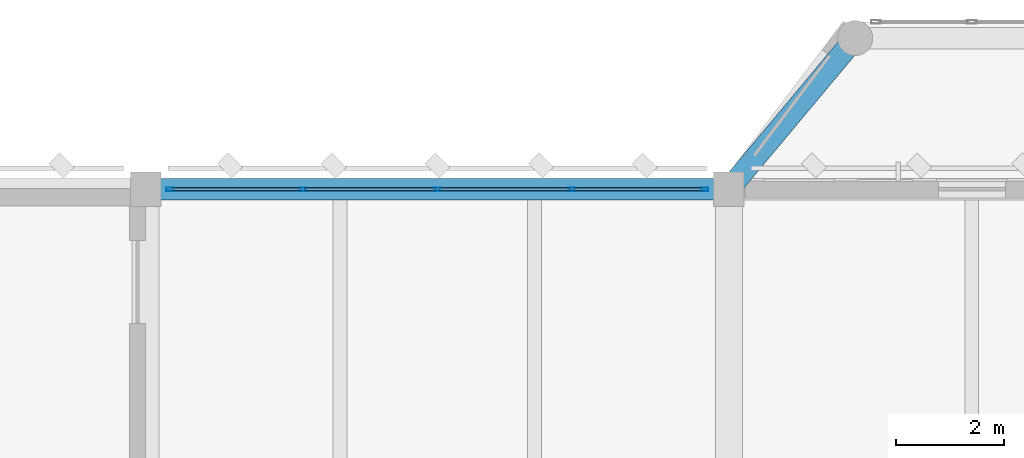
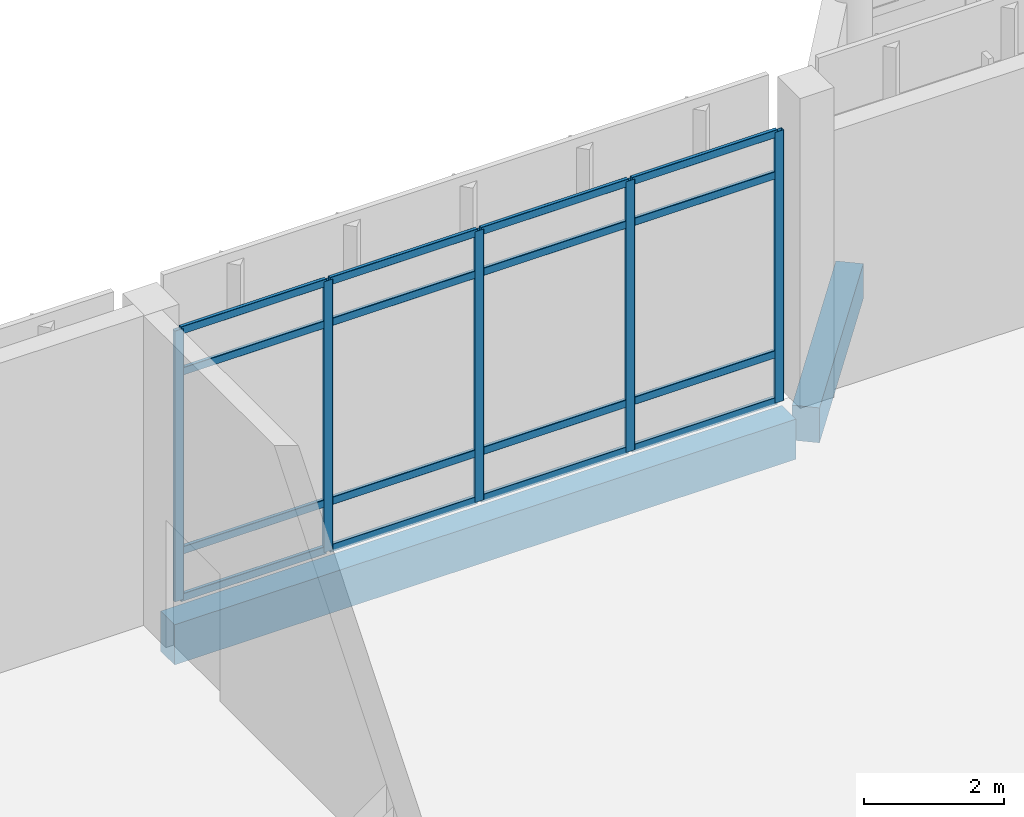
# One storey, part 85 of 180: 21 members, 2 beams, 1 element without a shape of its own.
"""IFC4 building model written with IfcOpenShell, lengths in metres."""

from ifc_helpers import new_model, si_unit, direction, frame, origin, origin_2d, place, context, subcontext, project, spatial, rectangle, hollow_rectangle, extrude, material, material_profile, profile_set, type_object, element, aggregate, save


model = new_model("IFC4")

# Units and contexts
model_context = context("Model", 3, precision=1e-05, world=origin(), true_north=direction((0.0, 1.0)))
body_context = subcontext(model_context, "Body", "Model", "MODEL_VIEW")
ifc_project = project(units=[si_unit("LENGTHUNIT", "METRE"), si_unit("AREAUNIT", "SQUARE_METRE"), si_unit("VOLUMEUNIT", "CUBIC_METRE"), si_unit("PLANEANGLEUNIT", "RADIAN"), si_unit("MASSUNIT", "GRAM", prefix="KILO")], contexts=[model_context])

# Site, building, storey
site_placement = place(None, origin())
site = spatial("IfcSite", under=ifc_project, at=site_placement, CompositionType="ELEMENT")
building_placement = place(site_placement, origin())
building = spatial("IfcBuilding", under=site, at=building_placement, Name="Lusvemor Sports Hall", CompositionType="ELEMENT")
storey_placement = place(building_placement, frame((0.0, 0.0, 5.39990234375)))
storey = spatial("IfcBuildingStorey", under=building, at=storey_placement, Name="L01", CompositionType="ELEMENT", Elevation=5.39990234375)

# Curtain wall, members
ifc_material_1 = material(Name="Thermally broken bronze-anodized aluminium", Category="aluminium")
curtain_wall_type = type_object("IfcCurtainWallType", Name="CW_WING_B", PredefinedType="NOTDEFINED", material=ifc_material_1)
curtain_wall_placement = place(storey_placement, origin())
curtain_wall = element("IfcCurtainWall", 1, at=curtain_wall_placement, inside=storey, type_object=curtain_wall_type, Name="Curtain Wall CW-L01-N-1-6", PredefinedType="NOTDEFINED")
ifc_material_2 = material(Name="Thermally broken bronze-anodized aluminium", Category="aluminium")
ifc_material_profile_1 = material_profile(ifc_material_2, hollow_rectangle(XDim=0.06494140625, YDim=0.14990234375, WallThickness=0.00390625, InnerFilletRadius=0.00390625, OuterFilletRadius=0.008056640625, at=origin_2d()), Name="CWMUL150x65x4")
ifc_profile_set_1 = profile_set([ifc_material_profile_1], Name="Thermally broken bronze-anodized aluminium")
member_type_1 = type_object("IfcMemberType", Name="CW_MUL_B", PredefinedType="MULLION", material=ifc_profile_set_1)
member_1_placement = place(storey_placement, frame((65.25244140625, 115.199951171875, 0.0), z_axis=(0.0, 0.0, 1.0), x_axis=(0.0, 1.0, 0.0)))
member_1 = element("IfcMember", 2, at=member_1_placement, type_object=member_type_1, Name="CW02 mullion 1", PredefinedType="MULLION", context=body_context, shape_type="SweptSolid", body=[
    extrude(hollow_rectangle(XDim=0.06494140625, YDim=0.14990234375, WallThickness=0.00390625, InnerFilletRadius=0.00390625, OuterFilletRadius=0.008056640625, at=origin_2d()), origin(), (0.0, 0.0, 1.0), 4.72021484375),
])
member_2_placement = place(storey_placement, frame((67.7099609375, 115.199951171875, 0.0), z_axis=(0.0, 0.0, 1.0), x_axis=(0.0, 1.0, 0.0)))
member_2 = element("IfcMember", 3, at=member_2_placement, type_object=member_type_1, Name="CW02 mullion 2", PredefinedType="MULLION", context=body_context, shape_type="SweptSolid", body=[
    extrude(hollow_rectangle(XDim=0.06494140625, YDim=0.14990234375, WallThickness=0.00390625, InnerFilletRadius=0.00390625, OuterFilletRadius=0.008056640625, at=origin_2d()), origin(), (0.0, 0.0, 1.0), 4.72021484375),
])
member_3_placement = place(storey_placement, frame((70.199951171875, 115.199951171875, 0.0), z_axis=(0.0, 0.0, 1.0), x_axis=(0.0, 1.0, 0.0)))
member_3 = element("IfcMember", 4, at=member_3_placement, type_object=member_type_1, Name="CW02 mullion 3", PredefinedType="MULLION", context=body_context, shape_type="SweptSolid", body=[
    extrude(hollow_rectangle(XDim=0.06494140625, YDim=0.14990234375, WallThickness=0.00390625, InnerFilletRadius=0.00390625, OuterFilletRadius=0.008056640625, at=origin_2d()), origin(), (0.0, 0.0, 1.0), 4.72021484375),
])
member_4_placement = place(storey_placement, frame((72.68994140625, 115.199951171875, 0.0), z_axis=(0.0, 0.0, 1.0), x_axis=(0.0, 1.0, 0.0)))
member_4 = element("IfcMember", 5, at=member_4_placement, type_object=member_type_1, Name="CW02 mullion 4", PredefinedType="MULLION", context=body_context, shape_type="SweptSolid", body=[
    extrude(hollow_rectangle(XDim=0.06494140625, YDim=0.14990234375, WallThickness=0.00390625, InnerFilletRadius=0.00390625, OuterFilletRadius=0.008056640625, at=origin_2d()), origin(), (0.0, 0.0, 1.0), 4.72021484375),
])
member_5_placement = place(storey_placement, frame((75.1474609375, 115.199951171875, 0.0), z_axis=(0.0, 0.0, 1.0), x_axis=(0.0, 1.0, 0.0)))
member_5 = element("IfcMember", 6, at=member_5_placement, type_object=member_type_1, Name="CW02 mullion 5", PredefinedType="MULLION", context=body_context, shape_type="SweptSolid", body=[
    extrude(hollow_rectangle(XDim=0.06494140625, YDim=0.14990234375, WallThickness=0.00390625, InnerFilletRadius=0.00390625, OuterFilletRadius=0.008056640625, at=origin_2d()), origin(), (0.0, 0.0, 1.0), 4.72021484375),
])
ifc_material_3 = material(Name="Thermally broken bronze-anodized aluminium", Category="aluminium")
ifc_material_profile_2 = material_profile(ifc_material_3, hollow_rectangle(XDim=0.06005859375, YDim=0.135009765625, WallThickness=0.00390625, InnerFilletRadius=0.00390625, OuterFilletRadius=0.008056640625, at=origin_2d()), Name="CWTRN135x60x4")
ifc_profile_set_2 = profile_set([ifc_material_profile_2], Name="Thermally broken bronze-anodized aluminium")
member_type_2 = type_object("IfcMemberType", Name="CW_TRN_B", PredefinedType="USERDEFINED", material=ifc_profile_set_2)
member_6_placement = place(storey_placement, frame((65.284912109375, 115.199951171875, 0.030029296875), z_axis=(1.0, 0.0, 0.0), x_axis=(0.0, 1.0, 0.0)))
member_6 = element("IfcMember", 7, at=member_6_placement, type_object=member_type_2, Name="CW02 transom 1.1", ObjectType="TRANSOM", PredefinedType="USERDEFINED", context=body_context, shape_type="SweptSolid", body=[
    extrude(hollow_rectangle(XDim=0.06005859375, YDim=0.135009765625, WallThickness=0.00390625, InnerFilletRadius=0.00390625, OuterFilletRadius=0.008056640625, at=origin_2d()), origin(), (0.0, 0.0, 1.0), 2.392578125),
])
member_7_placement = place(storey_placement, frame((65.284912109375, 115.199951171875, 0.85009765625), z_axis=(1.0, 0.0, 0.0), x_axis=(0.0, 1.0, 0.0)))
member_7 = element("IfcMember", 8, at=member_7_placement, type_object=member_type_2, Name="CW02 transom 1.2", ObjectType="TRANSOM", PredefinedType="USERDEFINED", context=body_context, shape_type="SweptSolid", body=[
    extrude(hollow_rectangle(XDim=0.06005859375, YDim=0.135009765625, WallThickness=0.00390625, InnerFilletRadius=0.00390625, OuterFilletRadius=0.008056640625, at=origin_2d()), origin(), (0.0, 0.0, 1.0), 2.392578125),
])
member_8_placement = place(storey_placement, frame((65.284912109375, 115.199951171875, 3.97021484375), z_axis=(1.0, 0.0, 0.0), x_axis=(0.0, 1.0, 0.0)))
member_8 = element("IfcMember", 9, at=member_8_placement, type_object=member_type_2, Name="CW02 transom 1.3", ObjectType="TRANSOM", PredefinedType="USERDEFINED", context=body_context, shape_type="SweptSolid", body=[
    extrude(hollow_rectangle(XDim=0.06005859375, YDim=0.135009765625, WallThickness=0.00390625, InnerFilletRadius=0.00390625, OuterFilletRadius=0.008056640625, at=origin_2d()), origin(), (0.0, 0.0, 1.0), 2.392578125),
])
member_9_placement = place(storey_placement, frame((65.284912109375, 115.199951171875, 4.690185546875), z_axis=(1.0, 0.0, 0.0), x_axis=(0.0, 1.0, 0.0)))
member_9 = element("IfcMember", 10, at=member_9_placement, type_object=member_type_2, Name="CW02 transom 1.4", ObjectType="TRANSOM", PredefinedType="USERDEFINED", context=body_context, shape_type="SweptSolid", body=[
    extrude(hollow_rectangle(XDim=0.06005859375, YDim=0.135009765625, WallThickness=0.00390625, InnerFilletRadius=0.00390625, OuterFilletRadius=0.008056640625, at=origin_2d()), origin(), (0.0, 0.0, 1.0), 2.392578125),
])
member_10_placement = place(storey_placement, frame((67.742431640625, 115.199951171875, 0.030029296875), z_axis=(1.0, 0.0, 0.0), x_axis=(0.0, 1.0, 0.0)))
member_10 = element("IfcMember", 11, at=member_10_placement, type_object=member_type_2, Name="CW02 transom 2.1", ObjectType="TRANSOM", PredefinedType="USERDEFINED", context=body_context, shape_type="SweptSolid", body=[
    extrude(hollow_rectangle(XDim=0.06005859375, YDim=0.135009765625, WallThickness=0.00390625, InnerFilletRadius=0.00390625, OuterFilletRadius=0.008056640625, at=origin_2d()), origin(), (0.0, 0.0, 1.0), 2.425048828125),
])
member_11_placement = place(storey_placement, frame((67.742431640625, 115.199951171875, 0.85009765625), z_axis=(1.0, 0.0, 0.0), x_axis=(0.0, 1.0, 0.0)))
member_11 = element("IfcMember", 12, at=member_11_placement, type_object=member_type_2, Name="CW02 transom 2.2", ObjectType="TRANSOM", PredefinedType="USERDEFINED", context=body_context, shape_type="SweptSolid", body=[
    extrude(hollow_rectangle(XDim=0.06005859375, YDim=0.135009765625, WallThickness=0.00390625, InnerFilletRadius=0.00390625, OuterFilletRadius=0.008056640625, at=origin_2d()), origin(), (0.0, 0.0, 1.0), 2.425048828125),
])
member_12_placement = place(storey_placement, frame((67.742431640625, 115.199951171875, 3.97021484375), z_axis=(1.0, 0.0, 0.0), x_axis=(0.0, 1.0, 0.0)))
member_12 = element("IfcMember", 13, at=member_12_placement, type_object=member_type_2, Name="CW02 transom 2.3", ObjectType="TRANSOM", PredefinedType="USERDEFINED", context=body_context, shape_type="SweptSolid", body=[
    extrude(hollow_rectangle(XDim=0.06005859375, YDim=0.135009765625, WallThickness=0.00390625, InnerFilletRadius=0.00390625, OuterFilletRadius=0.008056640625, at=origin_2d()), origin(), (0.0, 0.0, 1.0), 2.425048828125),
])
member_13_placement = place(storey_placement, frame((67.742431640625, 115.199951171875, 4.690185546875), z_axis=(1.0, 0.0, 0.0), x_axis=(0.0, 1.0, 0.0)))
member_13 = element("IfcMember", 14, at=member_13_placement, type_object=member_type_2, Name="CW02 transom 2.4", ObjectType="TRANSOM", PredefinedType="USERDEFINED", context=body_context, shape_type="SweptSolid", body=[
    extrude(hollow_rectangle(XDim=0.06005859375, YDim=0.135009765625, WallThickness=0.00390625, InnerFilletRadius=0.00390625, OuterFilletRadius=0.008056640625, at=origin_2d()), origin(), (0.0, 0.0, 1.0), 2.425048828125),
])
member_14_placement = place(storey_placement, frame((70.232421875, 115.199951171875, 0.030029296875), z_axis=(1.0, 0.0, 0.0), x_axis=(0.0, 1.0, 0.0)))
member_14 = element("IfcMember", 15, at=member_14_placement, type_object=member_type_2, Name="CW02 transom 3.1", ObjectType="TRANSOM", PredefinedType="USERDEFINED", context=body_context, shape_type="SweptSolid", body=[
    extrude(hollow_rectangle(XDim=0.06005859375, YDim=0.135009765625, WallThickness=0.00390625, InnerFilletRadius=0.00390625, OuterFilletRadius=0.008056640625, at=origin_2d()), origin(), (0.0, 0.0, 1.0), 2.425048828125),
])
member_15_placement = place(storey_placement, frame((70.232421875, 115.199951171875, 0.85009765625), z_axis=(1.0, 0.0, 0.0), x_axis=(0.0, 1.0, 0.0)))
member_15 = element("IfcMember", 16, at=member_15_placement, type_object=member_type_2, Name="CW02 transom 3.2", ObjectType="TRANSOM", PredefinedType="USERDEFINED", context=body_context, shape_type="SweptSolid", body=[
    extrude(hollow_rectangle(XDim=0.06005859375, YDim=0.135009765625, WallThickness=0.00390625, InnerFilletRadius=0.00390625, OuterFilletRadius=0.008056640625, at=origin_2d()), origin(), (0.0, 0.0, 1.0), 2.425048828125),
])
member_16_placement = place(storey_placement, frame((70.232421875, 115.199951171875, 3.97021484375), z_axis=(1.0, 0.0, 0.0), x_axis=(0.0, 1.0, 0.0)))
member_16 = element("IfcMember", 17, at=member_16_placement, type_object=member_type_2, Name="CW02 transom 3.3", ObjectType="TRANSOM", PredefinedType="USERDEFINED", context=body_context, shape_type="SweptSolid", body=[
    extrude(hollow_rectangle(XDim=0.06005859375, YDim=0.135009765625, WallThickness=0.00390625, InnerFilletRadius=0.00390625, OuterFilletRadius=0.008056640625, at=origin_2d()), origin(), (0.0, 0.0, 1.0), 2.425048828125),
])
member_17_placement = place(storey_placement, frame((70.232421875, 115.199951171875, 4.690185546875), z_axis=(1.0, 0.0, 0.0), x_axis=(0.0, 1.0, 0.0)))
member_17 = element("IfcMember", 18, at=member_17_placement, type_object=member_type_2, Name="CW02 transom 3.4", ObjectType="TRANSOM", PredefinedType="USERDEFINED", context=body_context, shape_type="SweptSolid", body=[
    extrude(hollow_rectangle(XDim=0.06005859375, YDim=0.135009765625, WallThickness=0.00390625, InnerFilletRadius=0.00390625, OuterFilletRadius=0.008056640625, at=origin_2d()), origin(), (0.0, 0.0, 1.0), 2.425048828125),
])
member_18_placement = place(storey_placement, frame((72.722412109375, 115.199951171875, 0.030029296875), z_axis=(1.0, 0.0, 0.0), x_axis=(0.0, 1.0, 0.0)))
member_18 = element("IfcMember", 19, at=member_18_placement, type_object=member_type_2, Name="CW02 transom 4.1", ObjectType="TRANSOM", PredefinedType="USERDEFINED", context=body_context, shape_type="SweptSolid", body=[
    extrude(hollow_rectangle(XDim=0.06005859375, YDim=0.135009765625, WallThickness=0.00390625, InnerFilletRadius=0.00390625, OuterFilletRadius=0.008056640625, at=origin_2d()), origin(), (0.0, 0.0, 1.0), 2.392578125),
])
member_19_placement = place(storey_placement, frame((72.722412109375, 115.199951171875, 0.85009765625), z_axis=(1.0, 0.0, 0.0), x_axis=(0.0, 1.0, 0.0)))
member_19 = element("IfcMember", 20, at=member_19_placement, type_object=member_type_2, Name="CW02 transom 4.2", ObjectType="TRANSOM", PredefinedType="USERDEFINED", context=body_context, shape_type="SweptSolid", body=[
    extrude(hollow_rectangle(XDim=0.06005859375, YDim=0.135009765625, WallThickness=0.00390625, InnerFilletRadius=0.00390625, OuterFilletRadius=0.008056640625, at=origin_2d()), origin(), (0.0, 0.0, 1.0), 2.392578125),
])
member_20_placement = place(storey_placement, frame((72.722412109375, 115.199951171875, 3.97021484375), z_axis=(1.0, 0.0, 0.0), x_axis=(0.0, 1.0, 0.0)))
member_20 = element("IfcMember", 21, at=member_20_placement, type_object=member_type_2, Name="CW02 transom 4.3", ObjectType="TRANSOM", PredefinedType="USERDEFINED", context=body_context, shape_type="SweptSolid", body=[
    extrude(hollow_rectangle(XDim=0.06005859375, YDim=0.135009765625, WallThickness=0.00390625, InnerFilletRadius=0.00390625, OuterFilletRadius=0.008056640625, at=origin_2d()), origin(), (0.0, 0.0, 1.0), 2.392578125),
])
member_21_placement = place(storey_placement, frame((72.722412109375, 115.199951171875, 4.690185546875), z_axis=(1.0, 0.0, 0.0), x_axis=(0.0, 1.0, 0.0)))
member_21 = element("IfcMember", 22, at=member_21_placement, type_object=member_type_2, Name="CW02 transom 4.4", ObjectType="TRANSOM", PredefinedType="USERDEFINED", context=body_context, shape_type="SweptSolid", body=[
    extrude(hollow_rectangle(XDim=0.06005859375, YDim=0.135009765625, WallThickness=0.00390625, InnerFilletRadius=0.00390625, OuterFilletRadius=0.008056640625, at=origin_2d()), origin(), (0.0, 0.0, 1.0), 2.392578125),
])
aggregate(curtain_wall, [member_1, member_2, member_3, member_4, member_5, member_6, member_7, member_8, member_9, member_10, member_11, member_12, member_13, member_14, member_15, member_16, member_17, member_18, member_19, member_20, member_21])

# Beams
ifc_material_4 = material(Name="Concrete C40/50", Category="concrete")
ifc_material_profile_3 = material_profile(ifc_material_4, rectangle(XDim=0.39990234375, YDim=0.610107421875, at=origin_2d()), Name="RC400x610")
ifc_profile_set_3 = profile_set([ifc_material_profile_3], Name="Concrete C40/50")
beam_type_1 = type_object("IfcBeamType", Name="SPAND_EXT_650", PredefinedType="SPANDREL", material=ifc_profile_set_3)
beam_1_placement = place(storey_placement, frame((75.60009765625, 115.199951171875, -0.56494140625), z_axis=(0.6412301768, 0.767348591164, 0.0), x_axis=(-0.767348591164, 0.6412301768, 0.0)))
element("IfcBeam", 23, at=beam_1_placement, inside=storey, type_object=beam_type_1, Name="Bow Pavilion Edge Beam BOW-N2 L01-1", PredefinedType="SPANDREL", context=body_context, shape_type="SweptSolid", body=[
    extrude(rectangle(XDim=0.39990234375, YDim=0.610107421875, at=origin_2d()), origin(), (0.0, 0.0, 1.0), 3.64892578125),
])
ifc_material_5 = material(Name="Concrete C40/50", Category="concrete")
ifc_material_profile_4 = material_profile(ifc_material_5, rectangle(XDim=0.39990234375, YDim=0.699951171875, at=origin_2d()), Name="RC400x700")
ifc_profile_set_4 = profile_set([ifc_material_profile_4], Name="Concrete C40/50")
beam_type_2 = type_object("IfcBeamType", Name="SPAND_EXT_700", PredefinedType="SPANDREL", material=ifc_profile_set_4)
beam_2_placement = place(storey_placement, frame((65.075927734375, 115.199951171875, -0.60986328125), z_axis=(1.0, 0.0, 0.0), x_axis=(0.0, 1.0, 0.0)))
element("IfcBeam", 24, at=beam_2_placement, inside=storey, type_object=beam_type_2, Name="Beam L01 Q:7-8", PredefinedType="SPANDREL", context=body_context, shape_type="SweptSolid", body=[
    extrude(rectangle(XDim=0.39990234375, YDim=0.699951171875, at=origin_2d()), origin(), (0.0, 0.0, 1.0), 10.248046875),
])

save(model, "model.ifc")
